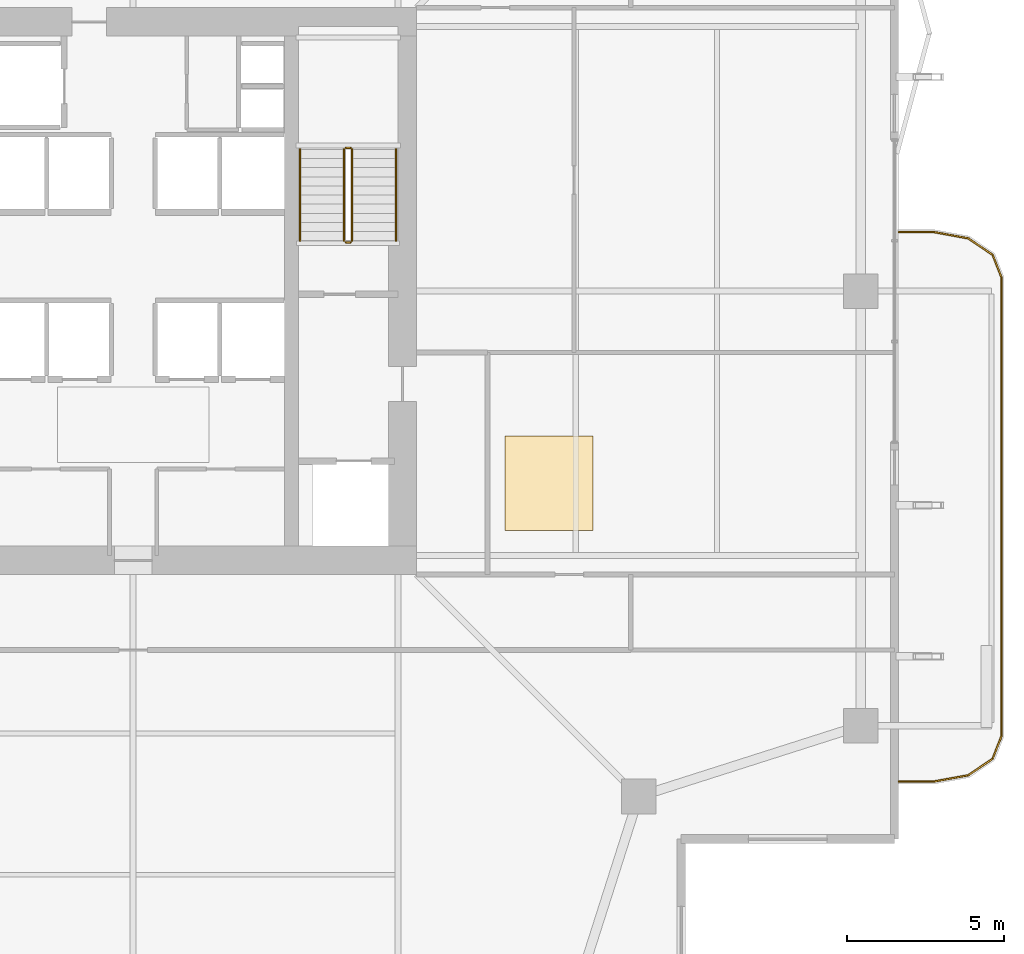
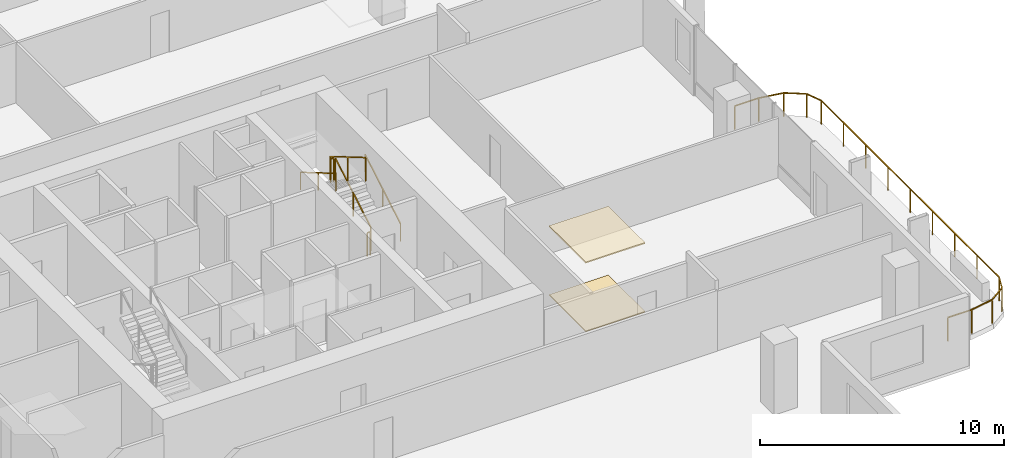
# One storey, part 24 of 25: 7 railings, 2 coverings.
"""IFC4 building model written with IfcOpenShell, lengths in metres."""

from ifc_helpers import new_model, si_unit, direction, frame, origin, origin_2d, place, context, subcontext, project, spatial, polyline, rectangle, outline, extrude, material, layer, layer_set, type_object, element, save


model = new_model("IFC4")

# Units and contexts
model_context = context("Model", 3, precision=1e-05, world=origin(), true_north=direction((0.0, 1.0)))
body_context = subcontext(model_context, "Body", "Model", "MODEL_VIEW")
ifc_project = project(units=[si_unit("LENGTHUNIT", "METRE"), si_unit("AREAUNIT", "SQUARE_METRE"), si_unit("VOLUMEUNIT", "CUBIC_METRE"), si_unit("PLANEANGLEUNIT", "RADIAN"), si_unit("MASSUNIT", "GRAM", prefix="KILO")], contexts=[model_context])

# Site, building, storey
site_placement = place(None, origin())
site = spatial("IfcSite", under=ifc_project, at=site_placement, CompositionType="ELEMENT")
building_placement = place(site_placement, origin())
building = spatial("IfcBuilding", under=site, at=building_placement, Name="Belovzor Exchange Tower", CompositionType="ELEMENT")
storey_placement = place(building_placement, frame((0.0, 0.0, 172.050048828125)))
storey = spatial("IfcBuildingStorey", under=building, at=storey_placement, Name="L42", CompositionType="ELEMENT", Elevation=172.050048828125)

# Railings
ifc_material_1 = material(Name="Stainless Steel Grade 304", Category="steel")
railing_type_1 = type_object("IfcRailingType", Name="Brushed Stainless Steel Stair Handrail 900", PredefinedType="HANDRAIL", material=ifc_material_1)
railing_1_placement = place(storey_placement, frame((37.14990234375, 30.39990234375, 0.17041015625)))
element("IfcRailing", 1, at=railing_1_placement, inside=storey, type_object=railing_type_1, Name="L42 ST-2 stair handrail 1", PredefinedType="HANDRAIL", context=body_context, shape_type="SweptSolid", body=[
    extrude(rectangle(XDim=0.048095703125, YDim=0.048095703125, at=origin_2d()), frame((0.0, 0.0, 0.8759765625), z_axis=(0.0, 0.862113265706, 0.506715617574), x_axis=(-1.0, 0.0, 0.0)), (0.0, 0.0, 1.0), 3.364013671875),
    extrude(rectangle(XDim=0.0419921875, YDim=0.0419921875, at=origin_2d()), origin(), (0.0, 0.0, 1.0), 0.851806640625),
    extrude(rectangle(XDim=0.0419921875, YDim=0.0419921875, at=origin_2d()), frame((0.0, 1.4501953125, 0.852294921875)), (0.0, 0.0, 1.0), 0.851806640625),
    extrude(rectangle(XDim=0.0419921875, YDim=0.0419921875, at=origin_2d()), frame((0.0, 2.900146484375, 1.70458984375)), (0.0, 0.0, 1.0), 0.851806640625),
])
railing_2_placement = place(storey_placement, frame((34.10009765625, 33.300048828125, 2.04541015625)))
element("IfcRailing", 2, at=railing_2_placement, inside=storey, type_object=railing_type_1, Name="L42 ST-2 stair handrail 2", PredefinedType="HANDRAIL", context=body_context, shape_type="SweptSolid", body=[
    extrude(rectangle(XDim=0.048095703125, YDim=0.048095703125, at=origin_2d()), frame((0.0, 0.0, 0.8759765625), z_axis=(0.0, -0.862113265706, 0.506715617574), x_axis=(1.0, 0.0, 0.0)), (0.0, 0.0, 1.0), 3.364013671875),
    extrude(rectangle(XDim=0.0419921875, YDim=0.0419921875, at=origin_2d()), origin(), (0.0, 0.0, 1.0), 0.851806640625),
    extrude(rectangle(XDim=0.0419921875, YDim=0.0419921875, at=origin_2d()), frame((0.0, -1.4501953125, 0.852294921875)), (0.0, 0.0, 1.0), 0.851806640625),
    extrude(rectangle(XDim=0.0419921875, YDim=0.0419921875, at=origin_2d()), frame((0.0, -2.900146484375, 1.70458984375)), (0.0, 0.0, 1.0), 0.851806640625),
])
ifc_material_2 = material(Name="Stainless Steel and Laminated Safety Glass", Category="steel")
railing_type_2 = type_object("IfcRailingType", Name="Laminated Glass & Stainless Steel Balcony Balustrade 1200", PredefinedType="BALUSTRADE", material=ifc_material_2)
railing_3_placement = place(storey_placement, frame((53.110107421875, 13.22998046875, 0.0)))
element("IfcRailing", 3, at=railing_3_placement, inside=storey, type_object=railing_type_2, Name="GR-1 Balcony Balustrade L42 East", PredefinedType="BALUSTRADE", context=body_context, shape_type="SweptSolid", body=[
    extrude(rectangle(XDim=0.048095703125, YDim=0.048095703125, at=origin_2d()), frame((0.0, 0.0, 1.17578125), z_axis=(1.0, 0.0, 0.0), x_axis=(0.0, 1.0, 0.0)), (0.0, 0.0, 1.0), 1.1328125),
    extrude(rectangle(XDim=0.048095703125, YDim=0.048095703125, at=origin_2d()), frame((1.1328125, 0.0, 1.17578125), z_axis=(0.983651385113, 0.180083182347, 0.0), x_axis=(-0.180083182347, 0.983651385113, 0.0)), (0.0, 0.0, 1.0), 1.093994140625),
    extrude(rectangle(XDim=0.048095703125, YDim=0.048095703125, at=origin_2d()), frame((2.208984375, 0.197021484375, 1.17578125), z_axis=(0.826614792125, 0.562768145367, 0.0), x_axis=(-0.562768145367, 0.826614792125, 0.0)), (0.0, 0.0, 1.0), 0.9326171875),
    extrude(rectangle(XDim=0.048095703125, YDim=0.048095703125, at=origin_2d()), frame((2.97998046875, 0.721923828125, 1.17578125), z_axis=(0.365504480807, 0.930809580156, 0.0), x_axis=(-0.930809580156, 0.365504480807, 0.0)), (0.0, 0.0, 1.0), 0.76611328125),
    extrude(rectangle(XDim=0.048095703125, YDim=0.048095703125, at=origin_2d()), frame((3.260009765625, 1.43505859375, 1.17578125), z_axis=(0.0, 1.0, 0.0), x_axis=(-1.0, 0.0, 0.0)), (0.0, 0.0, 1.0), 14.570068359375),
    extrude(rectangle(XDim=0.048095703125, YDim=0.048095703125, at=origin_2d()), frame((3.260009765625, 16.005126953125, 1.17578125), z_axis=(-0.365612923861, 0.930766990125, 0.0), x_axis=(-0.930766990125, -0.365612923861, 0.0)), (0.0, 0.0, 1.0), 0.765869140625),
    extrude(rectangle(XDim=0.048095703125, YDim=0.048095703125, at=origin_2d()), frame((2.97998046875, 16.718017578125, 1.17578125), z_axis=(-0.826614792125, 0.562768145367, 0.0), x_axis=(-0.562768145367, -0.826614792125, 0.0)), (0.0, 0.0, 1.0), 0.9326171875),
    extrude(rectangle(XDim=0.048095703125, YDim=0.048095703125, at=origin_2d()), frame((2.208984375, 17.242919921875, 1.17578125), z_axis=(-0.983651385113, 0.180083182347, 0.0), x_axis=(-0.180083182347, -0.983651385113, 0.0)), (0.0, 0.0, 1.0), 1.093994140625),
    extrude(rectangle(XDim=0.048095703125, YDim=0.048095703125, at=origin_2d()), frame((1.1328125, 17.43994140625, 1.17578125), z_axis=(-1.0, 0.0, 0.0), x_axis=(0.0, -1.0, 0.0)), (0.0, 0.0, 1.0), 1.1328125),
    extrude(rectangle(XDim=0.0419921875, YDim=0.0419921875, at=origin_2d()), origin(), (0.0, 0.0, 1.0), 1.15185546875),
    extrude(rectangle(XDim=0.0419921875, YDim=0.0419921875, at=origin_2d()), frame((1.1328125, 0.0, 0.0)), (0.0, 0.0, 1.0), 1.15185546875),
    extrude(rectangle(XDim=0.0419921875, YDim=0.0419921875, at=origin_2d()), frame((2.208984375, 0.197021484375, 0.0)), (0.0, 0.0, 1.0), 1.15185546875),
    extrude(rectangle(XDim=0.0419921875, YDim=0.0419921875, at=origin_2d()), frame((2.97998046875, 0.721923828125, 0.0)), (0.0, 0.0, 1.0), 1.15185546875),
    extrude(rectangle(XDim=0.0419921875, YDim=0.0419921875, at=origin_2d()), frame((3.260009765625, 1.43505859375, 0.0)), (0.0, 0.0, 1.0), 1.15185546875),
    extrude(rectangle(XDim=0.0419921875, YDim=0.0419921875, at=origin_2d()), frame((3.260009765625, 3.25634765625, 0.0)), (0.0, 0.0, 1.0), 1.15185546875),
    extrude(rectangle(XDim=0.0419921875, YDim=0.0419921875, at=origin_2d()), frame((3.260009765625, 5.07763671875, 0.0)), (0.0, 0.0, 1.0), 1.15185546875),
    extrude(rectangle(XDim=0.0419921875, YDim=0.0419921875, at=origin_2d()), frame((3.260009765625, 6.89892578125, 0.0)), (0.0, 0.0, 1.0), 1.15185546875),
    extrude(rectangle(XDim=0.0419921875, YDim=0.0419921875, at=origin_2d()), frame((3.260009765625, 8.72021484375, 0.0)), (0.0, 0.0, 1.0), 1.15185546875),
    extrude(rectangle(XDim=0.0419921875, YDim=0.0419921875, at=origin_2d()), frame((3.260009765625, 10.541259765625, 0.0)), (0.0, 0.0, 1.0), 1.15185546875),
    extrude(rectangle(XDim=0.0419921875, YDim=0.0419921875, at=origin_2d()), frame((3.260009765625, 12.362548828125, 0.0)), (0.0, 0.0, 1.0), 1.15185546875),
    extrude(rectangle(XDim=0.0419921875, YDim=0.0419921875, at=origin_2d()), frame((3.260009765625, 14.183837890625, 0.0)), (0.0, 0.0, 1.0), 1.15185546875),
    extrude(rectangle(XDim=0.0419921875, YDim=0.0419921875, at=origin_2d()), frame((3.260009765625, 16.005126953125, 0.0)), (0.0, 0.0, 1.0), 1.15185546875),
    extrude(rectangle(XDim=0.0419921875, YDim=0.0419921875, at=origin_2d()), frame((2.97998046875, 16.718017578125, 0.0)), (0.0, 0.0, 1.0), 1.15185546875),
    extrude(rectangle(XDim=0.0419921875, YDim=0.0419921875, at=origin_2d()), frame((2.208984375, 17.242919921875, 0.0)), (0.0, 0.0, 1.0), 1.15185546875),
    extrude(rectangle(XDim=0.0419921875, YDim=0.0419921875, at=origin_2d()), frame((1.1328125, 17.43994140625, 0.0)), (0.0, 0.0, 1.0), 1.15185546875),
    extrude(rectangle(XDim=0.0419921875, YDim=0.0419921875, at=origin_2d()), frame((0.0, 17.43994140625, 0.0)), (0.0, 0.0, 1.0), 1.15185546875),
])
ifc_material_3 = material(Name="Steel S355", Category="steel")
railing_type_3 = type_object("IfcRailingType", Name="Painted Steel Stairwell Guardrail 1200", PredefinedType="GUARDRAIL", material=ifc_material_3)
railing_4_placement = place(storey_placement, frame((35.75, 30.39990234375, 0.17041015625)))
element("IfcRailing", 4, at=railing_4_placement, inside=storey, type_object=railing_type_3, Name="L42 ST-2 stair guard 1", PredefinedType="GUARDRAIL", context=body_context, shape_type="SweptSolid", body=[
    extrude(rectangle(XDim=0.048095703125, YDim=0.048095703125, at=origin_2d()), frame((0.0, 0.0, 1.17578125), z_axis=(0.0, 0.862113265706, 0.506715617574), x_axis=(-1.0, 0.0, 0.0)), (0.0, 0.0, 1.0), 3.364013671875),
    extrude(rectangle(XDim=0.0419921875, YDim=0.0419921875, at=origin_2d()), origin(), (0.0, 0.0, 1.0), 1.15185546875),
    extrude(rectangle(XDim=0.0419921875, YDim=0.0419921875, at=origin_2d()), frame((0.0, 1.4501953125, 0.852294921875)), (0.0, 0.0, 1.0), 1.15185546875),
    extrude(rectangle(XDim=0.0419921875, YDim=0.0419921875, at=origin_2d()), frame((0.0, 2.900146484375, 1.70458984375)), (0.0, 0.0, 1.0), 1.15185546875),
])
railing_5_placement = place(storey_placement, frame((35.699951171875, 33.35009765625, 1.875)))
element("IfcRailing", 5, at=railing_5_placement, inside=storey, type_object=railing_type_3, Name="L42 ST-2 stair guard 2", PredefinedType="GUARDRAIL", context=body_context, shape_type="SweptSolid", body=[
    extrude(rectangle(XDim=0.048095703125, YDim=0.048095703125, at=origin_2d()), frame((0.0, 0.0, 1.17578125), z_axis=(-1.0, 0.0, 0.0), x_axis=(0.0, -1.0, 0.0)), (0.0, 0.0, 1.0), 0.14990234375),
    extrude(rectangle(XDim=0.0419921875, YDim=0.0419921875, at=origin_2d()), origin(), (0.0, 0.0, 1.0), 1.15185546875),
    extrude(rectangle(XDim=0.0419921875, YDim=0.0419921875, at=origin_2d()), frame((-0.14990234375, 0.0, 0.0)), (0.0, 0.0, 1.0), 1.15185546875),
])
railing_6_placement = place(storey_placement, frame((35.5, 33.300048828125, 2.04541015625)))
element("IfcRailing", 6, at=railing_6_placement, inside=storey, type_object=railing_type_3, Name="L42 ST-2 stair guard 3", PredefinedType="GUARDRAIL", context=body_context, shape_type="SweptSolid", body=[
    extrude(rectangle(XDim=0.048095703125, YDim=0.048095703125, at=origin_2d()), frame((0.0, 0.0, 1.17578125), z_axis=(0.0, -0.862113265706, 0.506715617574), x_axis=(1.0, 0.0, 0.0)), (0.0, 0.0, 1.0), 3.364013671875),
    extrude(rectangle(XDim=0.0419921875, YDim=0.0419921875, at=origin_2d()), origin(), (0.0, 0.0, 1.0), 1.15185546875),
    extrude(rectangle(XDim=0.0419921875, YDim=0.0419921875, at=origin_2d()), frame((0.0, -1.4501953125, 0.852294921875)), (0.0, 0.0, 1.0), 1.15185546875),
    extrude(rectangle(XDim=0.0419921875, YDim=0.0419921875, at=origin_2d()), frame((0.0, -2.900146484375, 1.70458984375)), (0.0, 0.0, 1.0), 1.15185546875),
])
railing_7_placement = place(storey_placement, frame((35.699951171875, 30.35009765625, 0.0)))
element("IfcRailing", 7, at=railing_7_placement, inside=storey, type_object=railing_type_3, Name="L42 ST-2 stair guard 4", PredefinedType="GUARDRAIL", context=body_context, shape_type="SweptSolid", body=[
    extrude(rectangle(XDim=0.048095703125, YDim=0.048095703125, at=origin_2d()), frame((0.0, 0.0, 1.17578125), z_axis=(-1.0, 0.0, 0.0), x_axis=(0.0, -1.0, 0.0)), (0.0, 0.0, 1.0), 0.14990234375),
    extrude(rectangle(XDim=0.0419921875, YDim=0.0419921875, at=origin_2d()), origin(), (0.0, 0.0, 1.0), 1.15185546875),
    extrude(rectangle(XDim=0.0419921875, YDim=0.0419921875, at=origin_2d()), frame((-0.14990234375, 0.0, 0.0)), (0.0, 0.0, 1.0), 1.15185546875),
])

# Coverings
ifc_material_4 = material(Name="Perforated Powder-Coated Aluminium", Category="aluminium")
ifc_layer_1 = layer(ifc_material_4, 0.06005859375)
ifc_layer_set_1 = layer_set([ifc_layer_1], Name="Perforated Powder-Coated Aluminium")
covering_type_1 = type_object("IfcCoveringType", Name="Perforated Acoustic Metal Tile Suspended Ceiling 60", PredefinedType="CEILING", material=ifc_layer_set_1)
covering_1_placement = place(storey_placement, frame((0.0, 0.0, 3.43505859375)))
element("IfcCovering", 8, at=covering_1_placement, inside=storey, type_object=covering_type_1, Name="CLG-AC60 Suspended Ceiling CLG-L42-Z0", PredefinedType="CEILING", context=body_context, shape_type="SweptSolid", body=[
    extrude(outline(polyline([(40.60009765625, 21.199951171875), (43.39990234375, 21.199951171875), (43.39990234375, 24.199951171875), (40.60009765625, 24.199951171875), (40.60009765625, 21.199951171875)])), origin(), (0.0, 0.0, 1.0), 0.059814453125),
])
ifc_material_5 = material(Name="Polished Natural Granite Tile", Category="masonry")
ifc_layer_2 = layer(ifc_material_5, 0.050048828125)
ifc_layer_set_2 = layer_set([ifc_layer_2], Name="Polished Natural Granite Tile")
covering_type_2 = type_object("IfcCoveringType", Name="Polished Karelian Granite & Raised Access Floor Finish 50", PredefinedType="FLOORING", material=ifc_layer_set_2)
covering_2_placement = place(storey_placement, origin())
element("IfcCovering", 9, at=covering_2_placement, inside=storey, type_object=covering_type_2, Name="FLR-GR50 Floor Finish FLR-L42-Z0", PredefinedType="FLOORING", context=body_context, shape_type="SweptSolid", body=[
    extrude(outline(polyline([(40.60009765625, 21.199951171875), (43.39990234375, 21.199951171875), (43.39990234375, 24.199951171875), (40.60009765625, 24.199951171875), (40.60009765625, 21.199951171875)])), origin(), (0.0, 0.0, 1.0), 0.050048828125),
])

save(model, "model.ifc")
